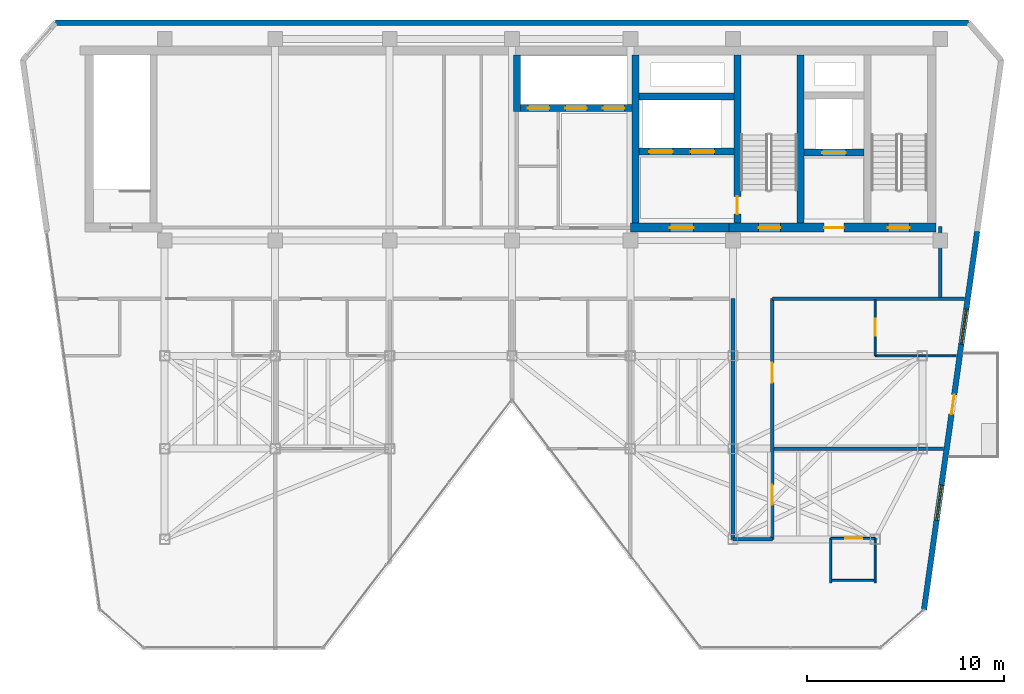
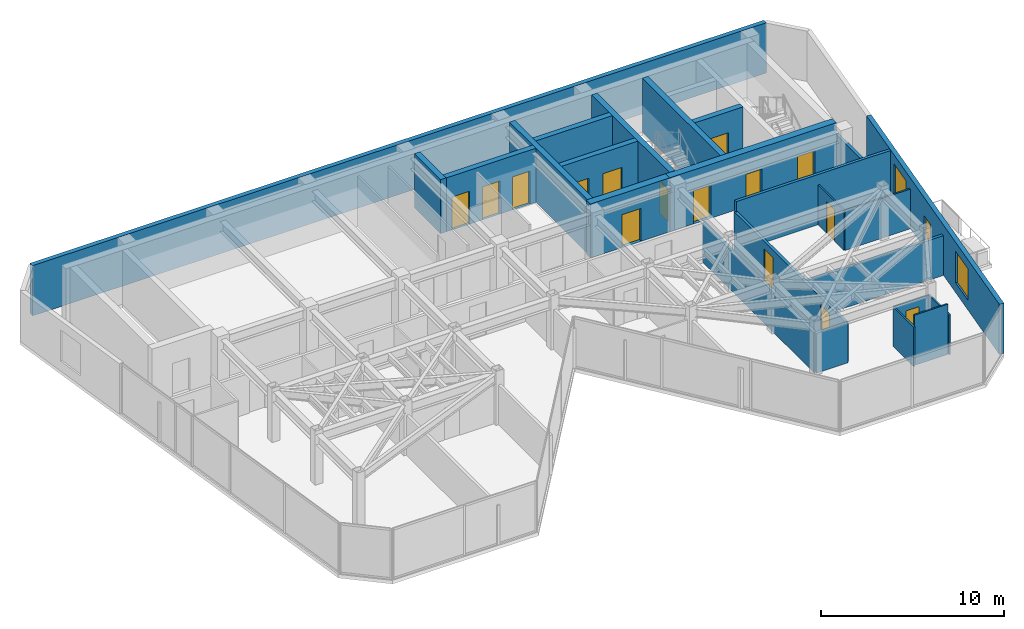
# One storey, part 17 of 20: 24 walls, 16 doors, 2 windows, 18 openings.
"""IFC4 building model written with IfcOpenShell, lengths in metres."""

import ifcopenshell
import ifcopenshell.guid

model = None  # the IFC model being written
_history = None  # IfcOwnerHistory: only IFC2X3 demands one
_inside = {}  # id of a spatial element -> (the spatial element, [elements in it])
_under = {}  # id of a project, library or spatial element -> (it, [spatial elements below it])
_declared = {}  # id of a project -> (the project, [libraries it declares])
_typed = {}  # id of a type object -> (the type object, [elements of that type])
_made_of = {}  # id of a material, layer set ... -> (it, [elements and type objects made of it])


def new_model(schema):
    """Start an empty IFC model of exactly this schema.

    Asked for "IFC4X3", IfcOpenShell would pick the latest addendum, in which some entities
    have other attributes; the version numbers below select the first issue.
    IFC2X3 requires an IfcOwnerHistory on every rooted entity: one is made here for all.
    """
    global model, _history
    if schema == "IFC4X3":
        model = ifcopenshell.file(schema_version=(4, 3, 0, 0))
    else:
        model = ifcopenshell.file(schema=schema)
    _inside.clear()
    _under.clear()
    _declared.clear()
    _typed.clear()
    _made_of.clear()
    _history = None
    if model.schema == "IFC2X3":
        org = make("IfcOrganization", Name="unknown")
        user = make(
            "IfcPersonAndOrganization",
            ThePerson=make("IfcPerson", FamilyName="unknown"),
            TheOrganization=org,
        )
        app = make(
            "IfcApplication",
            ApplicationDeveloper=org,
            Version="unknown",
            ApplicationFullName="unknown",
            ApplicationIdentifier="unknown",
        )
        _history = make(
            "IfcOwnerHistory",
            OwningUser=user,
            OwningApplication=app,
            ChangeAction="ADDED",
            CreationDate=0,
        )
    return model


def make(cls, **values):
    """One entity of the class cls with the attributes given. An attribute that is None is left unset."""
    return model.create_entity(
        cls, **{name: value for name, value in values.items() if value is not None}
    )


def rooted(cls, **values):
    """An entity with a GlobalId (a new one), such as an element, a storey or a relation."""
    return make(cls, GlobalId=ifcopenshell.guid.new(), OwnerHistory=_history, **values)


def si_unit(unit_type, name, prefix=None):
    """IfcSIUnit, for example si_unit("LENGTHUNIT", "METRE", prefix="MILLI")."""
    return make("IfcSIUnit", UnitType=unit_type, Prefix=prefix, Name=name)


def assignment(units):
    """IfcUnitAssignment: the units of a project."""
    return None if units is None else make("IfcUnitAssignment", Units=units)


def point(xyz):
    """IfcCartesianPoint."""
    return None if xyz is None else make("IfcCartesianPoint", Coordinates=xyz)


def direction(xyz):
    """IfcDirection."""
    return None if xyz is None else make("IfcDirection", DirectionRatios=xyz)


def frame(location, z_axis=None, x_axis=None):
    """IfcAxis2Placement3D, a coordinate frame: its origin and axes. An axis left out is left unset."""
    return make(
        "IfcAxis2Placement3D",
        Location=point(location),
        Axis=direction(z_axis),
        RefDirection=direction(x_axis),
    )


def frame_2d(location, x_axis=None):
    """IfcAxis2Placement2D, a coordinate frame in the plane: its origin and x axis."""
    return make(
        "IfcAxis2Placement2D", Location=point(location), RefDirection=direction(x_axis)
    )


def origin():
    """The frame at (0, 0, 0) with its axes left unset."""
    return frame((0.0, 0.0, 0.0))


def place(relative_to, where):
    """IfcLocalPlacement: puts the frame where relative to a parent placement (None: the world)."""
    return make(
        "IfcLocalPlacement", PlacementRelTo=relative_to, RelativePlacement=where
    )


def context(
    kind, dimensions, precision=None, world=None, true_north=None, identifier=None
):
    """IfcGeometricRepresentationContext, for example the 3D "Model" context."""
    return make(
        "IfcGeometricRepresentationContext",
        ContextIdentifier=identifier,
        ContextType=kind,
        CoordinateSpaceDimension=dimensions,
        Precision=precision,
        WorldCoordinateSystem=world,
        TrueNorth=true_north,
    )


def subcontext(parent, identifier, kind, view, scale=None):
    """IfcGeometricRepresentationSubContext, for example "Body" below "Model"."""
    return make(
        "IfcGeometricRepresentationSubContext",
        ContextIdentifier=identifier,
        ContextType=kind,
        ParentContext=parent,
        TargetScale=scale,
        TargetView=view,
    )


def project(units=None, contexts=None):
    """IfcProject with its units and contexts."""
    return rooted(
        "IfcProject",
        Name="project",
        RepresentationContexts=contexts,
        UnitsInContext=assignment(units),
    )


def spatial(cls, under=None, at=None, **own):
    """A site, building, storey or space (cls), placed at a placement, below another one or the project."""
    s = rooted(cls, ObjectPlacement=at, **own)
    if under is not None:
        _under.setdefault(under.id(), (under, []))[1].append(s)
    return s


def profile(cls, at=None, kind="AREA", **sizes):
    """A parametric profile (cls). Its sizes go by their IFC names, for example OverallWidth=200.0."""
    return make(cls, ProfileType=kind, Position=at, **sizes)


def rectangle(**sizes):
    """IfcRectangleProfileDef."""
    return profile("IfcRectangleProfileDef", **sizes)


def extrude(swept, where, along, depth):
    """IfcExtrudedAreaSolid: the profile swept, set in the frame where, extruded along a direction by depth."""
    return make(
        "IfcExtrudedAreaSolid",
        SweptArea=swept,
        Position=where,
        ExtrudedDirection=direction(along),
        Depth=depth,
    )


def shape(context_of_items, identifier, shape_type, items):
    """IfcShapeRepresentation: the items that make up one representation, for example the "Body"."""
    return make(
        "IfcShapeRepresentation",
        ContextOfItems=context_of_items,
        RepresentationIdentifier=identifier,
        RepresentationType=shape_type,
        Items=items,
    )


def material(Name=None, Category=None):
    """IfcMaterial."""
    return make("IfcMaterial", Name=Name, Category=Category)


def layer(
    of_material, thickness, ventilated=None, Name=None, Category=None, Priority=None
):
    """IfcMaterialLayer: one layer of a wall or slab, of a material (None: an air gap)."""
    return make(
        "IfcMaterialLayer",
        Material=of_material,
        LayerThickness=thickness,
        IsVentilated=ventilated,
        Name=Name,
        Category=Category,
        Priority=Priority,
    )


def layer_set(layers, Name=None):
    """IfcMaterialLayerSet."""
    return make("IfcMaterialLayerSet", MaterialLayers=layers, LayerSetName=Name)


def made_of(thing, what):
    """Note that an element or type object is made of a material, layer set ...; save() writes the relation."""
    if what is not None:
        _made_of.setdefault(what.id(), (what, []))[1].append(thing)
    return thing


def type_object(cls, material=None, **own):
    """A type object (cls), such as IfcWallType, which elements share."""
    return made_of(rooted(cls, **own), material)


def element(
    cls,
    number,
    at=None,
    inside=None,
    cuts=None,
    type_object=None,
    material=None,
    context=None,
    identifier="Body",
    shape_type=None,
    held_by="IfcProductDefinitionShape",
    body=None,
    shapes=None,
    **own,
):
    """One element of the class cls, such as IfcWall. Its Tag is "e" and its number.

    at: its placement. inside: the storey or other place that contains it. cuts: it is an
    opening in that element (IfcRelVoidsElement). A single representation is given by context,
    identifier, shape_type and body (its items); several are given by shapes. held_by: the class
    of the entity that holds the representations. save() writes the other relations.
    """
    e = rooted(cls, Tag="e%d" % number, ObjectPlacement=at, **own)
    if body is not None:
        shapes = [shape(context, identifier, shape_type, body)]
    if shapes is not None:
        e.Representation = make(held_by, Representations=shapes)
    if inside is not None:
        _inside.setdefault(inside.id(), (inside, []))[1].append(e)
    if cuts is not None:
        rooted(
            "IfcRelVoidsElement", RelatingBuildingElement=cuts, RelatedOpeningElement=e
        )
    if type_object is not None:
        _typed.setdefault(type_object.id(), (type_object, []))[1].append(e)
    return made_of(e, material)


def fill(opening, filler):
    """IfcRelFillsElement: the door or window that sits in an opening."""
    return rooted(
        "IfcRelFillsElement",
        RelatingOpeningElement=opening,
        RelatedBuildingElement=filler,
    )


def aggregate(whole, parts):
    """IfcRelAggregates: a whole, such as a stair, and the parts it consists of."""
    return rooted("IfcRelAggregates", RelatingObject=whole, RelatedObjects=parts)


def save(model, path):
    """Write the relations noted so far, then the file.

    IfcRelAggregates (storeys below a building ...), IfcRelContainedInSpatialStructure (elements
    in a storey), IfcRelDefinesByType, IfcRelAssociatesMaterial and IfcRelDeclares: one each for
    every whole, place, type object, material and project.
    """
    for whole, parts in _under.values():
        aggregate(whole, parts)
    for where, things in _inside.values():
        rooted(
            "IfcRelContainedInSpatialStructure",
            RelatedElements=things,
            RelatingStructure=where,
        )
    for kind, things in _typed.values():
        rooted("IfcRelDefinesByType", RelatedObjects=things, RelatingType=kind)
    for what, things in _made_of.values():
        rooted("IfcRelAssociatesMaterial", RelatedObjects=things, RelatingMaterial=what)
    for by, libraries in _declared.values():
        rooted("IfcRelDeclares", RelatingContext=by, RelatedDefinitions=libraries)
    model.write(path)


model = new_model("IFC4")

# Units and contexts
model_context = context("Model", 3, precision=1e-05, world=origin(), true_north=direction((0.0, 1.0)))
body_context = subcontext(model_context, "Body", "Model", "MODEL_VIEW")
ifc_project = project(units=[si_unit("LENGTHUNIT", "METRE"), si_unit("AREAUNIT", "SQUARE_METRE"), si_unit("VOLUMEUNIT", "CUBIC_METRE"), si_unit("PLANEANGLEUNIT", "RADIAN"), si_unit("MASSUNIT", "GRAM", prefix="KILO")], contexts=[model_context])

# Site, building, storey
site_placement = place(None, origin())
site = spatial("IfcSite", under=ifc_project, at=site_placement, CompositionType="ELEMENT")
building_placement = place(site_placement, origin())
building = spatial("IfcBuilding", under=site, at=building_placement, Name="Kravanh Interchange Tower", CompositionType="ELEMENT")
storey_placement = place(building_placement, frame((0.0, 0.0, 241.800048828125)))
storey = spatial("IfcBuildingStorey", under=building, at=storey_placement, Name="L58", CompositionType="ELEMENT", Elevation=241.800048828125)

# Wall
ifc_material_1 = material(Name="Concrete C60/75", Category="concrete")
ifc_layer_1 = layer(ifc_material_1, 0.35009765625)
ifc_layer_set_1 = layer_set([ifc_layer_1], Name="Core Shear Wall Concrete C60/75 350mm")
wall_type_1 = type_object("IfcWallType", Name="Core Shear Wall Concrete C60/75 350mm", PredefinedType="SHEAR", material=ifc_layer_set_1)
wall_1_placement = place(storey_placement, frame((59.425048828125, 38.22509765625, 0.0), z_axis=(0.0, 0.0, 1.0), x_axis=(0.0, 1.0, 0.0)))
element("IfcWall", 1, at=wall_1_placement, inside=storey, type_object=wall_type_1, Name="L58 Stair ST2 East Shear Wall", PredefinedType="SHEAR", context=body_context, shape_type="SweptSolid", body=[
    extrude(rectangle(XDim=8.52490234375, YDim=0.35009765625, at=frame_2d((4.262451171875, 0.0))), origin(), (0.0, 0.0, 1.0), 3.599853515625),
])

# Wall, opening, door
wall_2_placement = place(storey_placement, frame((56.22509765625, 38.22509765625, 0.0), z_axis=(0.0, 0.0, 1.0), x_axis=(0.0, 1.0, 0.0)))
wall_2 = element("IfcWall", 2, at=wall_2_placement, inside=storey, type_object=wall_type_1, Name="L58 Stair ST2 West Shear Wall", PredefinedType="SHEAR", context=body_context, shape_type="SweptSolid", body=[
    extrude(rectangle(XDim=8.52490234375, YDim=0.35009765625, at=frame_2d((4.262451171875, 0.0))), origin(), (0.0, 0.0, 1.0), 3.599853515625),
])
opening_1_placement = place(wall_2_placement, frame((0.455078125, 0.0, 0.0)))
opening_1 = element("IfcOpeningElement", 3, at=opening_1_placement, cuts=wall_2, Name="Opening D-STAIR-90", PredefinedType="OPENING", context=body_context, shape_type="SweptSolid", body=[
    extrude(rectangle(XDim=0.89990234375, YDim=2.14990234375, at=frame_2d((0.449951171875, 1.074951171875))), frame((0.0, 0.18505859375, 0.0), z_axis=(0.0, -1.0, 0.0), x_axis=(1.0, 0.0, 0.0)), (0.0, 0.0, 1.0), 0.3701171875),
])
ifc_material_2 = material(Name="Structural Steel S355", Category="steel")
door_type_1 = type_object("IfcDoorType", Name="Fire-Rated Stair Lobby Door 900x2150", OperationType="NOTDEFINED", PredefinedType="DOOR", material=ifc_material_2)
door_1_placement = place(opening_1_placement, origin())
door_1 = element("IfcDoor", 4, at=door_1_placement, inside=storey, type_object=door_type_1, Name="L58 Firefighting Lobby to Stair ST2 Door", OperationType="SINGLE_SWING_LEFT", OverallHeight=2.14990234375, OverallWidth=0.89990234375, PredefinedType="DOOR", context=body_context, shape_type="SweptSolid", body=[
    extrude(rectangle(XDim=0.89990234375, YDim=2.14990234375, at=frame_2d((0.449951171875, 1.074951171875))), frame((0.0, 0.02490234375, 0.0), z_axis=(0.0, -1.0, 0.0), x_axis=(1.0, 0.0, 0.0)), (0.0, 0.0, 1.0), 0.050048828125),
])
fill(opening_1, door_1)

wall_3_placement = place(storey_placement, frame((59.60009765625, 41.800048828125, 0.0), z_axis=(0.0, 0.0, 1.0), x_axis=(1.0, 0.0, 0.0)))
wall_3 = element("IfcWall", 5, at=wall_3_placement, inside=storey, type_object=wall_type_1, Name="L58 Service Lift Shaft South Wall", PredefinedType="SHEAR", context=body_context, shape_type="SweptSolid", body=[
    extrude(rectangle(XDim=3.0498046875, YDim=0.35009765625, at=frame_2d((1.52490234375, 0.0))), origin(), (0.0, 0.0, 1.0), 3.599853515625),
])
opening_2_placement = place(wall_3_placement, frame((0.919921875, 0.0, 0.0)))
opening_2 = element("IfcOpeningElement", 6, at=opening_2_placement, cuts=wall_3, Name="Opening LD02", PredefinedType="OPENING", context=body_context, shape_type="SweptSolid", body=[
    extrude(rectangle(XDim=1.199951171875, YDim=2.199951171875, at=frame_2d((0.60009765625, 1.10009765625))), frame((0.0, 0.18505859375, 0.0), z_axis=(0.0, -1.0, 0.0), x_axis=(1.0, 0.0, 0.0)), (0.0, 0.0, 1.0), 0.3701171875),
])
ifc_material_3 = material(Name="Stainless Steel 316", Category="steel")
door_type_2 = type_object("IfcDoorType", Name="Fire and Service Lift Sliding Landing Door 1200x2200", OperationType="DOUBLE_DOOR_SLIDING", PredefinedType="DOOR", material=ifc_material_3)
door_2_placement = place(opening_2_placement, origin())
door_2 = element("IfcDoor", 7, at=door_2_placement, inside=storey, type_object=door_type_2, Name="L58 Lift LS-01 Landing Door", OperationType="DOUBLE_DOOR_SLIDING", OverallHeight=2.199951171875, OverallWidth=1.199951171875, PredefinedType="DOOR", context=body_context, shape_type="SweptSolid", body=[
    extrude(rectangle(XDim=1.199951171875, YDim=2.199951171875, at=frame_2d((0.60009765625, 1.10009765625))), frame((0.0, 0.02490234375, 0.0), z_axis=(0.0, -1.0, 0.0), x_axis=(1.0, 0.0, 0.0)), (0.0, 0.0, 1.0), 0.050048828125),
])
fill(opening_2, door_2)

# Wall, openings, doors
wall_4_placement = place(storey_placement, frame((51.22509765625, 41.85009765625, 0.0), z_axis=(0.0, 0.0, 1.0), x_axis=(1.0, 0.0, 0.0)))
wall_4 = element("IfcWall", 8, at=wall_4_placement, inside=storey, type_object=wall_type_1, Name="L58 Fire Lift Shaft South Wall", PredefinedType="SHEAR", context=body_context, shape_type="SweptSolid", body=[
    extrude(rectangle(XDim=4.824951171875, YDim=0.35009765625, at=frame_2d((2.41259765625, 0.0))), origin(), (0.0, 0.0, 1.0), 3.599853515625),
])
opening_3_placement = place(wall_4_placement, frame((0.52490234375, 0.0, 0.0)))
opening_3 = element("IfcOpeningElement", 9, at=opening_3_placement, cuts=wall_4, Name="Opening LD02", PredefinedType="OPENING", context=body_context, shape_type="SweptSolid", body=[
    extrude(rectangle(XDim=1.199951171875, YDim=2.199951171875, at=frame_2d((0.60009765625, 1.10009765625))), frame((0.0, 0.18505859375, 0.0), z_axis=(0.0, -1.0, 0.0), x_axis=(1.0, 0.0, 0.0)), (0.0, 0.0, 1.0), 0.3701171875),
])
opening_4_placement = place(wall_4_placement, frame((2.625, 0.0, 0.0)))
opening_4 = element("IfcOpeningElement", 10, at=opening_4_placement, cuts=wall_4, Name="Opening LD02", PredefinedType="OPENING", context=body_context, shape_type="SweptSolid", body=[
    extrude(rectangle(XDim=1.199951171875, YDim=2.199951171875, at=frame_2d((0.60009765625, 1.10009765625))), frame((0.0, 0.18505859375, 0.0), z_axis=(0.0, -1.0, 0.0), x_axis=(1.0, 0.0, 0.0)), (0.0, 0.0, 1.0), 0.3701171875),
])
door_3_placement = place(opening_3_placement, origin())
door_3 = element("IfcDoor", 11, at=door_3_placement, inside=storey, type_object=door_type_2, Name="L58 Lift FSAE-01 Landing Door", OperationType="DOUBLE_DOOR_SLIDING", OverallHeight=2.199951171875, OverallWidth=1.199951171875, PredefinedType="DOOR", context=body_context, shape_type="SweptSolid", body=[
    extrude(rectangle(XDim=1.199951171875, YDim=2.199951171875, at=frame_2d((0.60009765625, 1.10009765625))), frame((0.0, 0.02490234375, 0.0), z_axis=(0.0, -1.0, 0.0), x_axis=(1.0, 0.0, 0.0)), (0.0, 0.0, 1.0), 0.050048828125),
])
fill(opening_3, door_3)
door_4_placement = place(opening_4_placement, origin())
door_4 = element("IfcDoor", 12, at=door_4_placement, inside=storey, type_object=door_type_2, Name="L58 Lift FSAE-02 Landing Door", OperationType="DOUBLE_DOOR_SLIDING", OverallHeight=2.199951171875, OverallWidth=1.199951171875, PredefinedType="DOOR", context=body_context, shape_type="SweptSolid", body=[
    extrude(rectangle(XDim=1.199951171875, YDim=2.199951171875, at=frame_2d((0.60009765625, 1.10009765625))), frame((0.0, 0.02490234375, 0.0), z_axis=(0.0, -1.0, 0.0), x_axis=(1.0, 0.0, 0.0)), (0.0, 0.0, 1.0), 0.050048828125),
])
fill(opening_4, door_4)

# Walls
wall_5_placement = place(storey_placement, frame((51.22509765625, 44.64990234375, 0.0), z_axis=(0.0, 0.0, 1.0), x_axis=(1.0, 0.0, 0.0)))
element("IfcWall", 13, at=wall_5_placement, inside=storey, type_object=wall_type_1, Name="L58 Fire Lift Shaft North Wall", PredefinedType="SHEAR", context=body_context, shape_type="SweptSolid", body=[
    extrude(rectangle(XDim=4.824951171875, YDim=0.35009765625, at=frame_2d((2.41259765625, 0.0))), origin(), (0.0, 0.0, 1.0), 3.599853515625),
])
wall_6_placement = place(storey_placement, frame((51.050048828125, 38.22509765625, 0.0), z_axis=(0.0, 0.0, 1.0), x_axis=(0.0, 1.0, 0.0)))
element("IfcWall", 14, at=wall_6_placement, inside=storey, type_object=wall_type_1, Name="L58 Firefighting Lobby West Wall", PredefinedType="SHEAR", context=body_context, shape_type="SweptSolid", body=[
    extrude(rectangle(XDim=8.52490234375, YDim=0.35009765625, at=frame_2d((4.262451171875, 0.0))), origin(), (0.0, 0.0, 1.0), 3.599853515625),
])

# Wall, openings, doors
wall_7_placement = place(storey_placement, frame((45.22509765625, 44.050048828125, 0.0), z_axis=(0.0, 0.0, 1.0), x_axis=(1.0, 0.0, 0.0)))
wall_7 = element("IfcWall", 15, at=wall_7_placement, inside=storey, type_object=wall_type_1, Name="L58 High-Rise Lift Shaft South Wall", PredefinedType="SHEAR", context=body_context, shape_type="SweptSolid", body=[
    extrude(rectangle(XDim=5.64990234375, YDim=0.35009765625, at=frame_2d((2.824951171875, 0.0))), origin(), (0.0, 0.0, 1.0), 3.599853515625),
])
opening_5_placement = place(wall_7_placement, frame((0.375, 0.0, 0.0)))
opening_5 = element("IfcOpeningElement", 16, at=opening_5_placement, cuts=wall_7, Name="Opening LD01", PredefinedType="OPENING", context=body_context, shape_type="SweptSolid", body=[
    extrude(rectangle(XDim=1.10009765625, YDim=2.199951171875, at=frame_2d((0.550048828125, 1.10009765625))), frame((0.0, 0.18505859375, 0.0), z_axis=(0.0, -1.0, 0.0), x_axis=(1.0, 0.0, 0.0)), (0.0, 0.0, 1.0), 0.3701171875),
])
opening_6_placement = place(wall_7_placement, frame((2.27490234375, 0.0, 0.0)))
opening_6 = element("IfcOpeningElement", 17, at=opening_6_placement, cuts=wall_7, Name="Opening LD01", PredefinedType="OPENING", context=body_context, shape_type="SweptSolid", body=[
    extrude(rectangle(XDim=1.10009765625, YDim=2.199951171875, at=frame_2d((0.550048828125, 1.10009765625))), frame((0.0, 0.18505859375, 0.0), z_axis=(0.0, -1.0, 0.0), x_axis=(1.0, 0.0, 0.0)), (0.0, 0.0, 1.0), 0.3701171875),
])
opening_7_placement = place(wall_7_placement, frame((4.175048828125, 0.0, 0.0)))
opening_7 = element("IfcOpeningElement", 18, at=opening_7_placement, cuts=wall_7, Name="Opening LD01", PredefinedType="OPENING", context=body_context, shape_type="SweptSolid", body=[
    extrude(rectangle(XDim=1.10009765625, YDim=2.199951171875, at=frame_2d((0.550048828125, 1.10009765625))), frame((0.0, 0.18505859375, 0.0), z_axis=(0.0, -1.0, 0.0), x_axis=(1.0, 0.0, 0.0)), (0.0, 0.0, 1.0), 0.3701171875),
])
ifc_material_4 = material(Name="Stainless Steel 304", Category="steel")
door_type_3 = type_object("IfcDoorType", Name="Passenger Lift Sliding Landing Door 1100x2200", OperationType="DOUBLE_DOOR_SLIDING", PredefinedType="DOOR", material=ifc_material_4)
door_5_placement = place(opening_5_placement, origin())
door_5 = element("IfcDoor", 19, at=door_5_placement, inside=storey, type_object=door_type_3, Name="L58 Lift LP-H1 Landing Door", OperationType="DOUBLE_DOOR_SLIDING", OverallHeight=2.199951171875, OverallWidth=1.10009765625, PredefinedType="DOOR", context=body_context, shape_type="SweptSolid", body=[
    extrude(rectangle(XDim=1.10009765625, YDim=2.199951171875, at=frame_2d((0.550048828125, 1.10009765625))), frame((0.0, 0.02490234375, 0.0), z_axis=(0.0, -1.0, 0.0), x_axis=(1.0, 0.0, 0.0)), (0.0, 0.0, 1.0), 0.050048828125),
])
fill(opening_5, door_5)
door_6_placement = place(opening_6_placement, origin())
door_6 = element("IfcDoor", 20, at=door_6_placement, inside=storey, type_object=door_type_3, Name="L58 Lift LP-H2 Landing Door", OperationType="DOUBLE_DOOR_SLIDING", OverallHeight=2.199951171875, OverallWidth=1.10009765625, PredefinedType="DOOR", context=body_context, shape_type="SweptSolid", body=[
    extrude(rectangle(XDim=1.10009765625, YDim=2.199951171875, at=frame_2d((0.550048828125, 1.10009765625))), frame((0.0, 0.02490234375, 0.0), z_axis=(0.0, -1.0, 0.0), x_axis=(1.0, 0.0, 0.0)), (0.0, 0.0, 1.0), 0.050048828125),
])
fill(opening_6, door_6)
door_7_placement = place(opening_7_placement, origin())
door_7 = element("IfcDoor", 21, at=door_7_placement, inside=storey, type_object=door_type_3, Name="L58 Lift LP-H3 Landing Door", OperationType="DOUBLE_DOOR_SLIDING", OverallHeight=2.199951171875, OverallWidth=1.10009765625, PredefinedType="DOOR", context=body_context, shape_type="SweptSolid", body=[
    extrude(rectangle(XDim=1.10009765625, YDim=2.199951171875, at=frame_2d((0.550048828125, 1.10009765625))), frame((0.0, 0.02490234375, 0.0), z_axis=(0.0, -1.0, 0.0), x_axis=(1.0, 0.0, 0.0)), (0.0, 0.0, 1.0), 0.050048828125),
])
fill(opening_7, door_7)

# Wall
wall_8_placement = place(storey_placement, frame((45.050048828125, 43.875, 0.0), z_axis=(0.0, 0.0, 1.0), x_axis=(0.0, 1.0, 0.0)))
element("IfcWall", 22, at=wall_8_placement, inside=storey, type_object=wall_type_1, Name="L58 High-Rise Lift Shaft West Wall", PredefinedType="SHEAR", context=body_context, shape_type="SweptSolid", body=[
    extrude(rectangle(XDim=2.875, YDim=0.35009765625, at=frame_2d((1.4375, 0.0))), origin(), (0.0, 0.0, 1.0), 3.599853515625),
])

# Wall, openings, doors
ifc_material_5 = material(Name="Concrete C60/75", Category="concrete")
ifc_layer_2 = layer(ifc_material_5, 0.449951171875)
ifc_layer_set_2 = layer_set([ifc_layer_2], Name="Core Shear Wall Concrete C60/75 450mm")
wall_type_2 = type_object("IfcWallType", Name="Core Shear Wall Concrete C60/75 450mm", PredefinedType="SHEAR", material=ifc_layer_set_2)
wall_9_placement = place(storey_placement, frame((55.800048828125, 38.0, 0.0), z_axis=(0.0, 0.0, 1.0), x_axis=(1.0, 0.0, 0.0)))
wall_9 = element("IfcWall", 23, at=wall_9_placement, inside=storey, type_object=wall_type_2, Name="L58 East Core South Shear Wall", PredefinedType="SHEAR", context=body_context, shape_type="SweptSolid", body=[
    extrude(rectangle(XDim=10.5, YDim=0.449951171875, at=frame_2d((5.25, 0.0))), origin(), (0.0, 0.0, 1.0), 3.599853515625),
])
opening_8_placement = place(wall_9_placement, frame((1.5, 0.0, 0.0)))
opening_8 = element("IfcOpeningElement", 24, at=opening_8_placement, cuts=wall_9, Name="Opening D-STAIR-110", PredefinedType="OPENING", context=body_context, shape_type="SweptSolid", body=[
    extrude(rectangle(XDim=1.10009765625, YDim=2.199951171875, at=frame_2d((0.550048828125, 1.10009765625))), frame((0.0, 0.23486328125, 0.0), z_axis=(0.0, -1.0, 0.0), x_axis=(1.0, 0.0, 0.0)), (0.0, 0.0, 1.0), 0.469970703125),
])
opening_9_placement = place(wall_9_placement, frame((4.820068359375, 0.0, 0.0)))
opening_9 = element("IfcOpeningElement", 25, at=opening_9_placement, cuts=wall_9, Name="Opening D-HOTEL-100", PredefinedType="OPENING", context=body_context, shape_type="SweptSolid", body=[
    extrude(rectangle(XDim=1.0, YDim=2.14990234375, at=frame_2d((0.5, 1.074951171875))), frame((0.0, 0.23486328125, 0.0), z_axis=(0.0, -1.0, 0.0), x_axis=(1.0, 0.0, 0.0)), (0.0, 0.0, 1.0), 0.469970703125),
])
opening_10_placement = place(wall_9_placement, frame((8.050048828125, 0.0, 0.0)))
opening_10 = element("IfcOpeningElement", 26, at=opening_10_placement, cuts=wall_9, Name="Opening D-STAIR-110", PredefinedType="OPENING", context=body_context, shape_type="SweptSolid", body=[
    extrude(rectangle(XDim=1.10009765625, YDim=2.199951171875, at=frame_2d((0.550048828125, 1.10009765625))), frame((0.0, 0.23486328125, 0.0), z_axis=(0.0, -1.0, 0.0), x_axis=(1.0, 0.0, 0.0)), (0.0, 0.0, 1.0), 0.469970703125),
])
ifc_material_6 = material(Name="Structural Steel S355", Category="steel")
door_type_4 = type_object("IfcDoorType", Name="Fire-Rated Exit Stair Door 1100x2200", OperationType="NOTDEFINED", PredefinedType="DOOR", material=ifc_material_6)
door_8_placement = place(opening_8_placement, origin())
door_8 = element("IfcDoor", 27, at=door_8_placement, inside=storey, type_object=door_type_4, Name="L58 Exit Stair ST2 Door", OperationType="SINGLE_SWING_RIGHT", OverallHeight=2.199951171875, OverallWidth=1.10009765625, PredefinedType="DOOR", context=body_context, shape_type="SweptSolid", body=[
    extrude(rectangle(XDim=1.10009765625, YDim=2.199951171875, at=frame_2d((0.550048828125, 1.10009765625))), frame((0.0, 0.02490234375, 0.0), z_axis=(0.0, -1.0, 0.0), x_axis=(1.0, 0.0, 0.0)), (0.0, 0.0, 1.0), 0.050048828125),
])
fill(opening_8, door_8)
door_9_placement = place(opening_10_placement, origin())
door_9 = element("IfcDoor", 28, at=door_9_placement, inside=storey, type_object=door_type_4, Name="L58 Exit Stair ST1 Door", OperationType="SINGLE_SWING_RIGHT", OverallHeight=2.199951171875, OverallWidth=1.10009765625, PredefinedType="DOOR", context=body_context, shape_type="SweptSolid", body=[
    extrude(rectangle(XDim=1.10009765625, YDim=2.199951171875, at=frame_2d((0.550048828125, 1.10009765625))), frame((0.0, 0.02490234375, 0.0), z_axis=(0.0, -1.0, 0.0), x_axis=(1.0, 0.0, 0.0)), (0.0, 0.0, 1.0), 0.050048828125),
])
fill(opening_10, door_9)
ifc_material_7 = material(Name="Fire-Rated Solid Timber Leaf", Category="wood")
door_type_5 = type_object("IfcDoorType", Name="Fire-Rated Suite Entrance Door 1000x2150", OperationType="NOTDEFINED", PredefinedType="DOOR", material=ifc_material_7)
door_10_placement = place(opening_9_placement, origin())
door_10 = element("IfcDoor", 29, at=door_10_placement, inside=storey, type_object=door_type_5, Name="L58 Service Lift Lobby Door", OperationType="SINGLE_SWING_RIGHT", OverallHeight=2.14990234375, OverallWidth=1.0, PredefinedType="DOOR", context=body_context, shape_type="SweptSolid", body=[
    extrude(rectangle(XDim=1.0, YDim=2.14990234375, at=frame_2d((0.5, 1.074951171875))), frame((0.0, 0.02490234375, 0.0), z_axis=(0.0, -1.0, 0.0), x_axis=(1.0, 0.0, 0.0)), (0.0, 0.0, 1.0), 0.050048828125),
])
fill(opening_9, door_10)

# Wall, opening, door
wall_10_placement = place(storey_placement, frame((50.800048828125, 38.0, 0.0), z_axis=(0.0, 0.0, 1.0), x_axis=(1.0, 0.0, 0.0)))
wall_10 = element("IfcWall", 30, at=wall_10_placement, inside=storey, type_object=wall_type_2, Name="L58 Firefighting Lobby South Shear Wall", PredefinedType="SHEAR", context=body_context, shape_type="SweptSolid", body=[
    extrude(rectangle(XDim=5.0, YDim=0.449951171875, at=frame_2d((2.5, 0.0))), origin(), (0.0, 0.0, 1.0), 3.599853515625),
])
opening_11_placement = place(wall_10_placement, frame((2.0, 0.0, 0.0)))
opening_11 = element("IfcOpeningElement", 31, at=opening_11_placement, cuts=wall_10, Name="Opening D-FSAE-120", PredefinedType="OPENING", context=body_context, shape_type="SweptSolid", body=[
    extrude(rectangle(XDim=1.199951171875, YDim=2.199951171875, at=frame_2d((0.60009765625, 1.10009765625))), frame((0.0, 0.23486328125, 0.0), z_axis=(0.0, -1.0, 0.0), x_axis=(1.0, 0.0, 0.0)), (0.0, 0.0, 1.0), 0.469970703125),
])
ifc_material_8 = material(Name="Structural Steel S355", Category="steel")
door_type_6 = type_object("IfcDoorType", Name="Fire-Rated Refuge and FSAE Door 1200x2200", OperationType="NOTDEFINED", PredefinedType="DOOR", material=ifc_material_8)
door_11_placement = place(opening_11_placement, origin())
door_11 = element("IfcDoor", 32, at=door_11_placement, inside=storey, type_object=door_type_6, Name="L58 Firefighting Lobby Corridor Door", OperationType="SINGLE_SWING_RIGHT", OverallHeight=2.199951171875, OverallWidth=1.199951171875, PredefinedType="DOOR", context=body_context, shape_type="SweptSolid", body=[
    extrude(rectangle(XDim=1.199951171875, YDim=2.199951171875, at=frame_2d((0.60009765625, 1.10009765625))), frame((0.0, 0.02490234375, 0.0), z_axis=(0.0, -1.0, 0.0), x_axis=(1.0, 0.0, 0.0)), (0.0, 0.0, 1.0), 0.050048828125),
])
fill(opening_11, door_11)

ifc_material_9 = material(Name="Moisture-Resistant Gypsum Board and Mineral Wool")
ifc_layer_3 = layer(ifc_material_9, 0.10009765625)
ifc_layer_set_3 = layer_set([ifc_layer_3], Name="En-Suite Moisture-Resistant Partition 100mm")
wall_type_3 = type_object("IfcWallType", Name="En-Suite Moisture-Resistant Partition 100mm", PredefinedType="PARTITIONING", material=ifc_layer_set_3)
wall_11_placement = place(storey_placement, frame((60.949951171875, 22.25, 0.0), z_axis=(0.0, 0.0, 1.0), x_axis=(1.0, 0.0, 0.0)))
wall_11 = element("IfcWall", 33, at=wall_11_placement, inside=storey, type_object=wall_type_3, Name="L58 Interior Partition 18", PredefinedType="PARTITIONING", context=body_context, shape_type="SweptSolid", body=[
    extrude(rectangle(XDim=2.25, YDim=0.10009765625, at=frame_2d((1.125, 0.0))), origin(), (0.0, 0.0, 1.0), 2.654052734375),
])
opening_12_placement = place(wall_11_placement, frame((0.741455078125, 0.0, 0.0)))
opening_12 = element("IfcOpeningElement", 34, at=opening_12_placement, cuts=wall_11, Name="Opening D-85", PredefinedType="OPENING", context=body_context, shape_type="SweptSolid", body=[
    extrude(rectangle(XDim=0.85009765625, YDim=2.10009765625, at=frame_2d((0.425048828125, 1.050048828125))), frame((0.0, 0.06005859375, 0.0), z_axis=(0.0, -1.0, 0.0), x_axis=(1.0, 0.0, 0.0)), (0.0, 0.0, 1.0), 0.1201171875),
])
ifc_material_10 = material(Name="Engineered Teak Veneer Timber", Category="wood")
door_type_7 = type_object("IfcDoorType", Name="En-Suite Timber Door 850x2100", OperationType="NOTDEFINED", PredefinedType="DOOR", material=ifc_material_10)
door_12_placement = place(opening_12_placement, origin())
door_12 = element("IfcDoor", 35, at=door_12_placement, inside=storey, type_object=door_type_7, Name="L58 En-suite Bathroom Door", OperationType="SINGLE_SWING_RIGHT", OverallHeight=2.10009765625, OverallWidth=0.85009765625, PredefinedType="DOOR", context=body_context, shape_type="SweptSolid", body=[
    extrude(rectangle(XDim=0.85009765625, YDim=2.10009765625, at=frame_2d((0.425048828125, 1.050048828125))), frame((0.0, 0.02490234375, 0.0), z_axis=(0.0, -1.0, 0.0), x_axis=(1.0, 0.0, 0.0)), (0.0, 0.0, 1.0), 0.050048828125),
])
fill(opening_12, door_12)

# Walls
for number, where, z_axis, x_axis, name in (
    (36, (60.949951171875, 20.0, 0.0), (0.0, 0.0, 1.0), (0.0, 1.0, 0.0), "L58 Interior Partition 19"),
    (37, (63.199951171875, 20.0, 0.0), (0.0, 0.0, 1.0), (0.0, 1.0, 0.0), "L58 Interior Partition 20"),
):
    element("IfcWall", number, at=place(storey_placement, frame(where, z_axis=z_axis, x_axis=x_axis)), inside=storey, type_object=wall_type_3, Name=name, PredefinedType="PARTITIONING", context=body_context, shape_type="SweptSolid", body=[
        extrude(rectangle(XDim=2.25, YDim=0.10009765625, at=frame_2d((1.125, 0.0))), origin(), (0.0, 0.0, 1.0), 2.654052734375),
    ])
wall_12_placement = place(storey_placement, frame((61.01806640625, 20.1201171875, 0.0), z_axis=(0.0, 0.0, 1.0), x_axis=(1.0, 0.0, 0.0)))
element("IfcWall", 38, at=wall_12_placement, inside=storey, type_object=wall_type_3, Name="L58 Interior Partition 21", PredefinedType="PARTITIONING", context=body_context, shape_type="SweptSolid", body=[
    extrude(rectangle(XDim=2.114013671875, YDim=0.10009765625, at=frame_2d((1.05712890625, 0.0))), origin(), (0.0, 0.0, 1.0), 3.349853515625),
])
wall_13_placement = place(storey_placement, frame((63.199951171875, 31.5, 0.0), z_axis=(0.0, 0.0, 1.0), x_axis=(1.0, 0.0, 0.0)))
element("IfcWall", 39, at=wall_13_placement, inside=storey, type_object=wall_type_3, Name="L58 Interior Partition 22", PredefinedType="PARTITIONING", context=body_context, shape_type="SweptSolid", body=[
    extrude(rectangle(XDim=4.123046875, YDim=0.10009765625, at=frame_2d((2.0615234375, 0.0))), origin(), (0.0, 0.0, 1.0), 2.654052734375),
])

# Wall, opening, door
wall_14_placement = place(storey_placement, frame((63.199951171875, 31.5, 0.0), z_axis=(0.0, 0.0, 1.0), x_axis=(0.0, 1.0, 0.0)))
wall_14 = element("IfcWall", 40, at=wall_14_placement, inside=storey, type_object=wall_type_3, Name="L58 Interior Partition 23", PredefinedType="PARTITIONING", context=body_context, shape_type="SweptSolid", body=[
    extrude(rectangle(XDim=2.83203125, YDim=0.10009765625, at=frame_2d((1.416015625, 0.0))), origin(), (0.0, 0.0, 1.0), 2.654052734375),
])
opening_13_placement = place(wall_14_placement, frame((1.02490234375, 0.0, 0.0)))
opening_13 = element("IfcOpeningElement", 41, at=opening_13_placement, cuts=wall_14, Name="Opening D-85", PredefinedType="OPENING", context=body_context, shape_type="SweptSolid", body=[
    extrude(rectangle(XDim=0.85009765625, YDim=2.10009765625, at=frame_2d((0.425048828125, 1.050048828125))), frame((0.0, 0.06005859375, 0.0), z_axis=(0.0, -1.0, 0.0), x_axis=(1.0, 0.0, 0.0)), (0.0, 0.0, 1.0), 0.1201171875),
])
door_13_placement = place(opening_13_placement, origin())
door_13 = element("IfcDoor", 42, at=door_13_placement, inside=storey, type_object=door_type_7, Name="L58 En-suite Bathroom Door", OperationType="SINGLE_SWING_RIGHT", OverallHeight=2.10009765625, OverallWidth=0.85009765625, PredefinedType="DOOR", context=body_context, shape_type="SweptSolid", body=[
    extrude(rectangle(XDim=0.85009765625, YDim=2.10009765625, at=frame_2d((0.425048828125, 1.050048828125))), frame((0.0, 0.02490234375, 0.0), z_axis=(0.0, -1.0, 0.0), x_axis=(1.0, 0.0, 0.0)), (0.0, 0.0, 1.0), 0.050048828125),
])
fill(opening_13, door_13)

# Wall
ifc_material_11 = material(Name="Insulated Precast Concrete C40/50 with Bronze Cladding", Category="concrete")
ifc_layer_4 = layer(ifc_material_11, 0.280029296875)
ifc_layer_set_4 = layer_set([ifc_layer_4], Name="Exterior Insulated Concrete C40/50 Bronze Spandrel Wall 280mm")
wall_type_4 = type_object("IfcWallType", Name="Exterior Insulated Concrete C40/50 Bronze Spandrel Wall 280mm", PredefinedType="STANDARD", material=ifc_layer_set_4)
wall_15_placement = place(storey_placement, frame((21.65478515625, 48.3798828125, 0.0), z_axis=(0.0, 0.0, 1.0), x_axis=(1.0, 0.0, 0.0)))
element("IfcWall", 43, at=wall_15_placement, inside=storey, type_object=wall_type_4, Name="L58 Exterior Wall 3", PredefinedType="STANDARD", context=body_context, shape_type="SweptSolid", body=[
    extrude(rectangle(XDim=46.29052734375, YDim=0.280029296875, at=frame_2d((23.145263671875, 0.0))), origin(), (0.0, 0.0, 1.0), 3.349853515625),
])

# Wall, openings, door, windows
wall_16_placement = place(storey_placement, frame((68.375, 37.800048828125, 0.0), z_axis=(0.0, 0.0, 1.0), x_axis=(-0.139164922175, -0.99026921816, 0.0)))
wall_16 = element("IfcWall", 44, at=wall_16_placement, inside=storey, type_object=wall_type_4, Name="L58 Exterior Wall 6", PredefinedType="STANDARD", context=body_context, shape_type="SweptSolid", body=[
    extrude(rectangle(XDim=19.3466796875, YDim=0.280029296875, at=frame_2d((9.67333984375, 0.0))), origin(), (0.0, 0.0, 1.0), 3.349853515625),
])
opening_14_placement = place(wall_16_placement, frame((8.359619140625, 0.0, 0.0)))
opening_14 = element("IfcOpeningElement", 45, at=opening_14_placement, cuts=wall_16, Name="Opening ED-BAL100", PredefinedType="OPENING", context=body_context, shape_type="SweptSolid", body=[
    extrude(rectangle(XDim=1.0, YDim=2.14990234375, at=frame_2d((0.5, 1.074951171875))), frame((0.0, 0.14990234375, 0.0), z_axis=(0.0, -1.0, 0.0), x_axis=(1.0, 0.0, 0.0)), (0.0, 0.0, 1.0), 0.300048828125),
])
opening_15_placement = place(wall_16_placement, frame((3.971435546875, 0.0, 0.64990234375)))
opening_15 = element("IfcOpeningElement", 46, at=opening_15_placement, cuts=wall_16, Name="Opening WN-180X210", PredefinedType="OPENING", context=body_context, shape_type="SweptSolid", body=[
    extrude(rectangle(XDim=1.800048828125, YDim=2.10009765625, at=frame_2d((0.89990234375, 1.050048828125))), frame((0.0, 0.14990234375, 0.0), z_axis=(0.0, -1.0, 0.0), x_axis=(1.0, 0.0, 0.0)), (0.0, 0.0, 1.0), 0.300048828125),
])
opening_16_placement = place(wall_16_placement, frame((12.97509765625, 0.0, 0.64990234375)))
opening_16 = element("IfcOpeningElement", 47, at=opening_16_placement, cuts=wall_16, Name="Opening WN-180X210", PredefinedType="OPENING", context=body_context, shape_type="SweptSolid", body=[
    extrude(rectangle(XDim=1.800048828125, YDim=2.10009765625, at=frame_2d((0.89990234375, 1.050048828125))), frame((0.0, 0.14990234375, 0.0), z_axis=(0.0, -1.0, 0.0), x_axis=(1.0, 0.0, 0.0)), (0.0, 0.0, 1.0), 0.300048828125),
])
ifc_material_12 = material(Name="Thermally Broken Bronze Aluminium and Laminated Glass", Category="aluminium")
door_type_8 = type_object("IfcDoorType", Name="Balcony Glazed Door 1000x2150", OperationType="NOTDEFINED", PredefinedType="DOOR", material=ifc_material_12)
door_14_placement = place(opening_14_placement, origin())
door_14 = element("IfcDoor", 48, at=door_14_placement, inside=storey, type_object=door_type_8, Name="L58 E Tree Balcony Access Door", OperationType="SINGLE_SWING_LEFT", OverallHeight=2.14990234375, OverallWidth=1.0, PredefinedType="DOOR", context=body_context, shape_type="SweptSolid", body=[
    extrude(rectangle(XDim=1.0, YDim=2.14990234375, at=frame_2d((0.5, 1.074951171875))), frame((0.0, 0.02490234375, 0.0), z_axis=(0.0, -1.0, 0.0), x_axis=(1.0, 0.0, 0.0)), (0.0, 0.0, 1.0), 0.050048828125),
])
fill(opening_14, door_14)
ifc_material_13 = material(Name="Thermally Broken Bronze Aluminium and Low-E Glass", Category="aluminium")
window_type = type_object("IfcWindowType", Name="Tower Pier Window 1800x2100", PartitioningType="SINGLE_PANEL", PredefinedType="WINDOW", material=ifc_material_13)
window_1_placement = place(opening_15_placement, origin())
window_1 = element("IfcWindow", 49, at=window_1_placement, inside=storey, type_object=window_type, Name="L58 Facade Window 6A", OverallHeight=2.10009765625, OverallWidth=1.800048828125, PartitioningType="SINGLE_PANEL", PredefinedType="WINDOW", context=body_context, shape_type="SweptSolid", body=[
    extrude(rectangle(XDim=1.800048828125, YDim=2.10009765625, at=frame_2d((0.89990234375, 1.050048828125))), frame((0.0, 0.030029296875, 0.0), z_axis=(0.0, -1.0, 0.0), x_axis=(1.0, 0.0, 0.0)), (0.0, 0.0, 1.0), 0.06005859375),
])
fill(opening_15, window_1)
window_2_placement = place(opening_16_placement, origin())
window_2 = element("IfcWindow", 50, at=window_2_placement, inside=storey, type_object=window_type, Name="L58 Facade Window 6B", OverallHeight=2.10009765625, OverallWidth=1.800048828125, PartitioningType="SINGLE_PANEL", PredefinedType="WINDOW", context=body_context, shape_type="SweptSolid", body=[
    extrude(rectangle(XDim=1.800048828125, YDim=2.10009765625, at=frame_2d((0.89990234375, 1.050048828125))), frame((0.0, 0.030029296875, 0.0), z_axis=(0.0, -1.0, 0.0), x_axis=(1.0, 0.0, 0.0)), (0.0, 0.0, 1.0), 0.06005859375),
])
fill(opening_16, window_2)

# Walls
ifc_material_14 = material(Name="Autoclaved Aerated Concrete C30/37 Blockwork", Category="masonry")
ifc_layer_5 = layer(ifc_material_14, 0.179931640625)
ifc_layer_set_5 = layer_set([ifc_layer_5], Name="Fire-Rated Lobby and Corridor Wall Concrete C30/37 180mm")
wall_type_5 = type_object("IfcWallType", Name="Fire-Rated Lobby and Corridor Wall Concrete C30/37 180mm", PredefinedType="STANDARD", material=ifc_layer_set_5)
wall_17_placement = place(storey_placement, frame((58.0, 34.39990234375, 0.0), z_axis=(0.0, 0.0, 1.0), x_axis=(1.0, 0.0, 0.0)))
element("IfcWall", 51, at=wall_17_placement, inside=storey, type_object=wall_type_5, Name="L58 Interior Partition 10", PredefinedType="STANDARD", context=body_context, shape_type="SweptSolid", body=[
    extrude(rectangle(XDim=9.730712890625, YDim=0.179931640625, at=frame_2d((4.865234375, 0.0))), origin(), (0.0, 0.0, 1.0), 3.349853515625),
])
wall_18_placement = place(storey_placement, frame((66.5, 34.468017578125, 0.0), z_axis=(0.0, 0.0, 1.0), x_axis=(0.0, 1.0, 0.0)))
element("IfcWall", 52, at=wall_18_placement, inside=storey, type_object=wall_type_5, Name="L58 Interior Partition 11", PredefinedType="STANDARD", context=body_context, shape_type="SweptSolid", body=[
    extrude(rectangle(XDim=3.58203125, YDim=0.179931640625, at=frame_2d((1.791015625, 0.0))), origin(), (0.0, 0.0, 1.0), 2.654052734375),
])
wall_19_placement = place(storey_placement, frame((56.0, 22.199951171875, 0.0), z_axis=(0.0, 0.0, 1.0), x_axis=(0.0, 1.0, 0.0)))
element("IfcWall", 53, at=wall_19_placement, inside=storey, type_object=wall_type_5, Name="L58 Interior Partition 12", PredefinedType="STANDARD", context=body_context, shape_type="SweptSolid", body=[
    extrude(rectangle(XDim=12.199951171875, YDim=0.179931640625, at=frame_2d((6.10009765625, 0.0))), origin(), (0.0, 0.0, 1.0), 2.654052734375),
])

# Wall, openings, doors
wall_20_placement = place(storey_placement, frame((58.0, 22.199951171875, 0.0), z_axis=(0.0, 0.0, 1.0), x_axis=(0.0, 1.0, 0.0)))
wall_20 = element("IfcWall", 54, at=wall_20_placement, inside=storey, type_object=wall_type_5, Name="L58 Interior Partition 13", PredefinedType="STANDARD", context=body_context, shape_type="SweptSolid", body=[
    extrude(rectangle(XDim=12.199951171875, YDim=0.179931640625, at=frame_2d((6.10009765625, 0.0))), origin(), (0.0, 0.0, 1.0), 2.654052734375),
])
opening_17_placement = place(wall_20_placement, frame((1.759521484375, 0.0, 0.0)))
opening_17 = element("IfcOpeningElement", 55, at=opening_17_placement, cuts=wall_20, Name="Opening D-HOTEL-100", PredefinedType="OPENING", context=body_context, shape_type="SweptSolid", body=[
    extrude(rectangle(XDim=1.0, YDim=2.14990234375, at=frame_2d((0.5, 1.074951171875))), frame((0.0, 0.10009765625, 0.0), z_axis=(0.0, -1.0, 0.0), x_axis=(1.0, 0.0, 0.0)), (0.0, 0.0, 1.0), 0.199951171875),
])
opening_18_placement = place(wall_20_placement, frame((7.93994140625, 0.0, 0.0)))
opening_18 = element("IfcOpeningElement", 56, at=opening_18_placement, cuts=wall_20, Name="Opening D-HOTEL-100", PredefinedType="OPENING", context=body_context, shape_type="SweptSolid", body=[
    extrude(rectangle(XDim=1.0, YDim=2.14990234375, at=frame_2d((0.5, 1.074951171875))), frame((0.0, 0.10009765625, 0.0), z_axis=(0.0, -1.0, 0.0), x_axis=(1.0, 0.0, 0.0)), (0.0, 0.0, 1.0), 0.199951171875),
])
door_15_placement = place(opening_17_placement, origin())
door_15 = element("IfcDoor", 57, at=door_15_placement, inside=storey, type_object=door_type_5, Name="L58 Corner Panorama Hotel Suite Entrance Door", OperationType="SINGLE_SWING_LEFT", OverallHeight=2.14990234375, OverallWidth=1.0, PredefinedType="DOOR", context=body_context, shape_type="SweptSolid", body=[
    extrude(rectangle(XDim=1.0, YDim=2.14990234375, at=frame_2d((0.5, 1.074951171875))), frame((0.0, 0.02490234375, 0.0), z_axis=(0.0, -1.0, 0.0), x_axis=(1.0, 0.0, 0.0)), (0.0, 0.0, 1.0), 0.050048828125),
])
fill(opening_17, door_15)
door_16_placement = place(opening_18_placement, origin())
door_16 = element("IfcDoor", 58, at=door_16_placement, inside=storey, type_object=door_type_5, Name="L58 Hotel Guest Room East Entrance Door", OperationType="SINGLE_SWING_LEFT", OverallHeight=2.14990234375, OverallWidth=1.0, PredefinedType="DOOR", context=body_context, shape_type="SweptSolid", body=[
    extrude(rectangle(XDim=1.0, YDim=2.14990234375, at=frame_2d((0.5, 1.074951171875))), frame((0.0, 0.02490234375, 0.0), z_axis=(0.0, -1.0, 0.0), x_axis=(1.0, 0.0, 0.0)), (0.0, 0.0, 1.0), 0.050048828125),
])
fill(opening_18, door_16)

# Walls
wall_21_placement = place(storey_placement, frame((56.0, 22.199951171875, 0.0), z_axis=(0.0, 0.0, 1.0), x_axis=(1.0, 0.0, 0.0)))
element("IfcWall", 59, at=wall_21_placement, inside=storey, type_object=wall_type_5, Name="L58 Interior Partition 14", PredefinedType="STANDARD", context=body_context, shape_type="SweptSolid", body=[
    extrude(rectangle(XDim=2.0, YDim=0.179931640625, at=frame_2d((1.0, 0.0))), origin(), (0.0, 0.0, 1.0), 2.654052734375),
])
wall_22_placement = place(storey_placement, frame((58.068115234375, 26.800048828125, 0.0), z_axis=(0.0, 0.0, 1.0), x_axis=(1.0, 0.0, 0.0)))
element("IfcWall", 60, at=wall_22_placement, inside=storey, type_object=wall_type_5, Name="L58 Interior Partition 17", PredefinedType="STANDARD", context=body_context, shape_type="SweptSolid", body=[
    extrude(rectangle(XDim=8.594482421875, YDim=0.179931640625, at=frame_2d((4.29736328125, 0.0))), origin(), (0.0, 0.0, 1.0), 2.654052734375),
])

save(model, "model.ifc")
